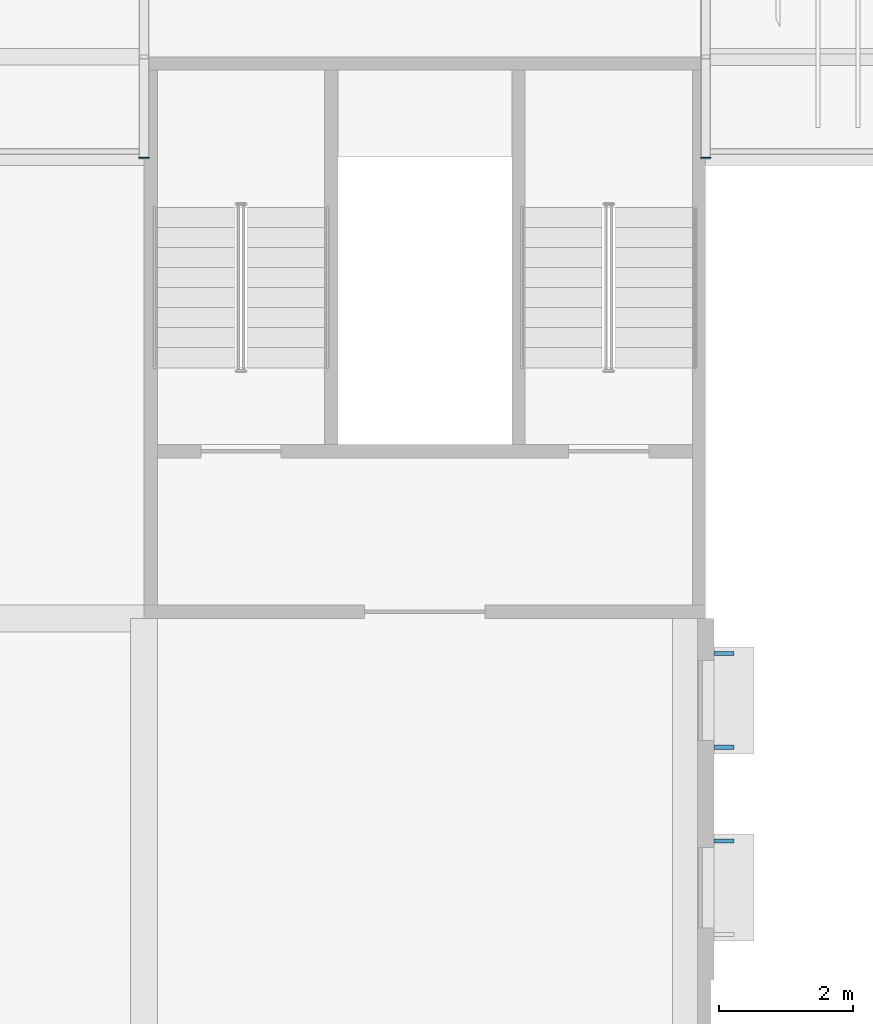
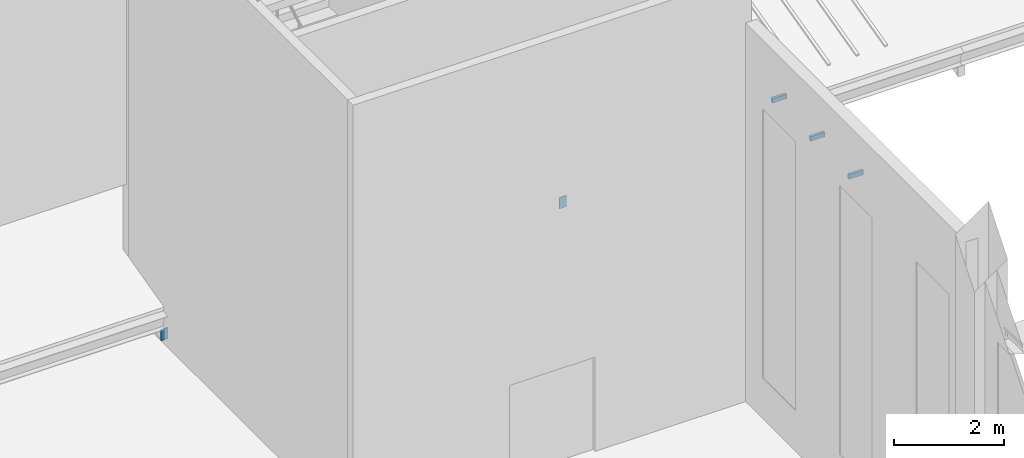
# One storey, part 64 of 114: 5 discrete accessories.
"""IFC4 building model written with IfcOpenShell, lengths in metres."""

from ifc_helpers import new_model, si_unit, direction, frame, origin, origin_2d, place, context, subcontext, project, spatial, rectangle, extrude, material, type_object, element, save


model = new_model("IFC4")

# Units and contexts
model_context = context("Model", 3, precision=1e-05, world=origin(), true_north=direction((0.0, 1.0)))
body_context = subcontext(model_context, "Body", "Model", "MODEL_VIEW")
ifc_project = project(units=[si_unit("LENGTHUNIT", "METRE"), si_unit("AREAUNIT", "SQUARE_METRE"), si_unit("VOLUMEUNIT", "CUBIC_METRE"), si_unit("PLANEANGLEUNIT", "RADIAN"), si_unit("MASSUNIT", "GRAM", prefix="KILO")], contexts=[model_context])

# Site, building, storey
site_placement = place(None, origin())
site = spatial("IfcSite", under=ifc_project, at=site_placement, CompositionType="ELEMENT")
building_placement = place(site_placement, origin())
building = spatial("IfcBuilding", under=site, at=building_placement, Name="Almond Square Museum", CompositionType="ELEMENT")
storey_placement = place(building_placement, frame((0.0, 0.0, 10.5)))
storey = spatial("IfcBuildingStorey", under=building, at=storey_placement, Name="L02", CompositionType="ELEMENT", Elevation=10.5)

# Discrete accessories
ifc_material_1 = material(Name="Stainless steel", Category="steel")
discrete_accessory_type_1 = type_object("IfcDiscreteAccessoryType", Name="Sun-shade blade bracket", PredefinedType="BRACKET", material=ifc_material_1)
for number, where, z_axis, x_axis, name in (
    (1, (23.072998046875, 63.875, 6.89697265625), (0.0, 0.0, 1.0), (1.0, 0.0, 0.0), "Bracket sun-shade blade"),
    (2, (23.072998046875, 65.27490234375, 6.89697265625), (0.0, 0.0, 1.0), (1.0, 0.0, 0.0), "Bracket sun-shade blade"),
    (3, (23.072998046875, 66.675048828125, 6.89697265625), (0.0, 0.0, 1.0), (1.0, 0.0, 0.0), "Bracket sun-shade blade"),
):
    element("IfcDiscreteAccessory", number, at=place(storey_placement, frame(where, z_axis=z_axis, x_axis=x_axis)), inside=storey, type_object=discrete_accessory_type_1, Name=name, PredefinedType="BRACKET", context=body_context, shape_type="SweptSolid", body=[
        extrude(rectangle(XDim=0.300048828125, YDim=0.06005859375, at=origin_2d()), origin(), (0.0, 0.0, 1.0), 0.10009765625),
    ])
ifc_material_2 = material(Name="Structural steel S355", Category="steel")
discrete_accessory_type_2 = type_object("IfcDiscreteAccessoryType", Name="Truss end cap", PredefinedType="BRACKET", material=ifc_material_2)
for number, where, z_axis, x_axis, name in (
    (4, (14.39990234375, 74.090087890625, 0.10009765625), (0.0, 0.0, 1.0), (1.0, 0.0, 0.0), "Truss end cap"),
    (5, (22.800048828125, 74.090087890625, 0.10009765625), (0.0, 0.0, 1.0), (1.0, 0.0, 0.0), "Truss end cap"),
):
    element("IfcDiscreteAccessory", number, at=place(storey_placement, frame(where, z_axis=z_axis, x_axis=x_axis)), inside=storey, type_object=discrete_accessory_type_2, Name=name, PredefinedType="BRACKET", context=body_context, shape_type="SweptSolid", body=[
        extrude(rectangle(XDim=0.14990234375, YDim=0.02001953125, at=origin_2d()), origin(), (0.0, 0.0, 1.0), 0.25),
    ])

save(model, "model.ifc")
